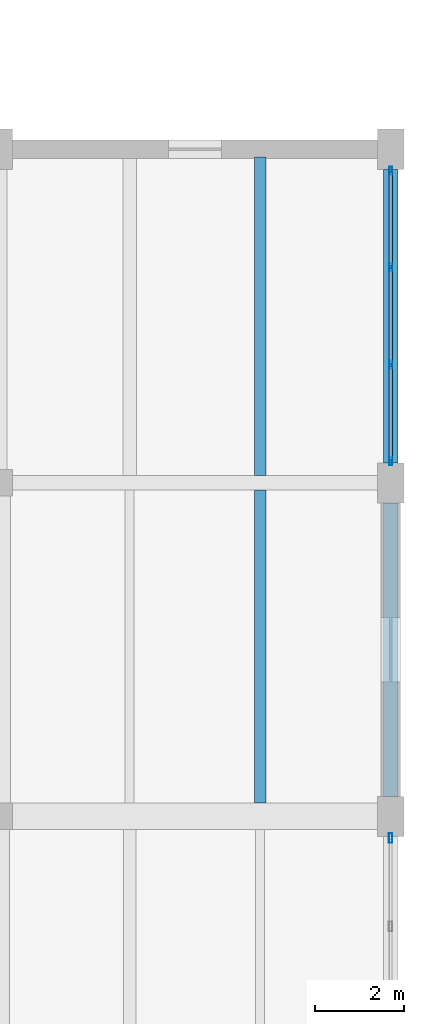
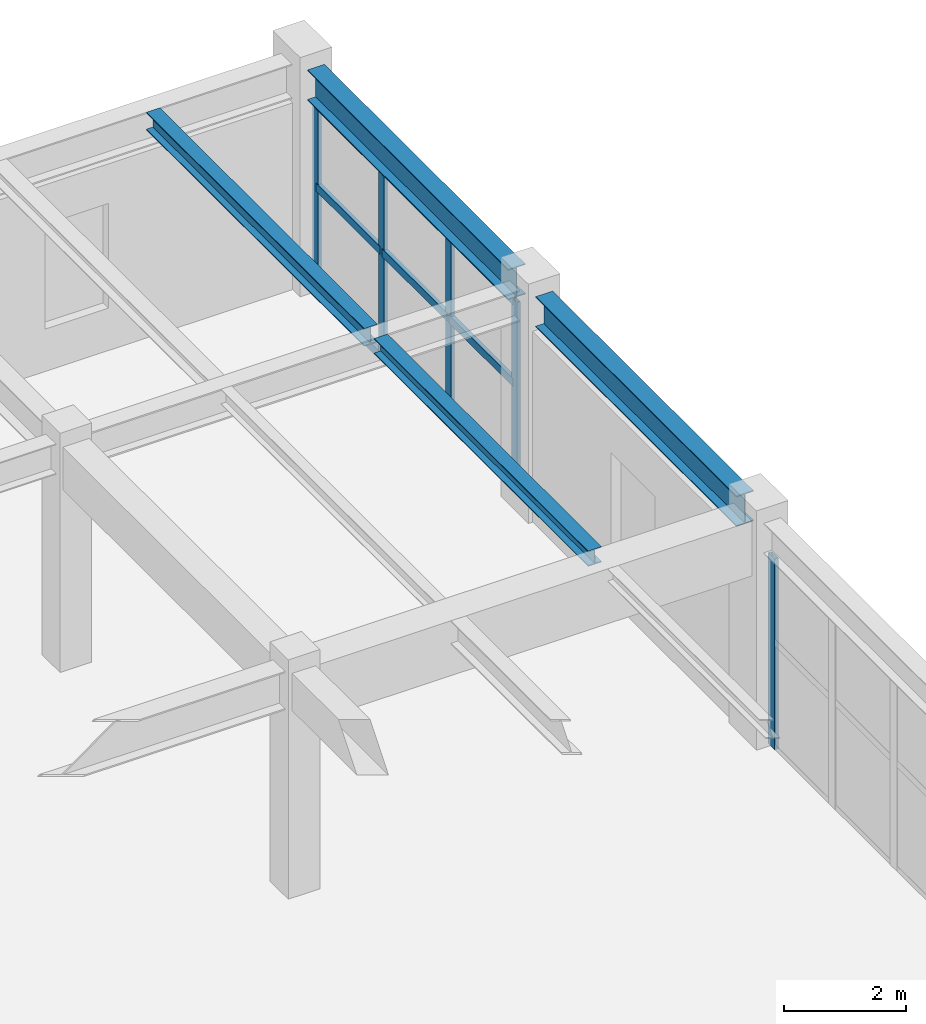
# One storey, part 53 of 85: 14 members, 4 beams, 2 elements without a shape of their own.
"""IFC4 building model written with IfcOpenShell, lengths in metres."""

from ifc_helpers import new_model, si_unit, direction, frame, origin, origin_2d, place, context, subcontext, project, spatial, hollow_rectangle, i_section, extrude, material, layer, layer_set, material_profile, profile_set, type_object, element, aggregate, save


model = new_model("IFC4")

# Units and contexts
model_context = context("Model", 3, precision=1e-05, world=origin(), true_north=direction((0.0, 1.0)))
body_context = subcontext(model_context, "Body", "Model", "MODEL_VIEW")
ifc_project = project(units=[si_unit("LENGTHUNIT", "METRE"), si_unit("AREAUNIT", "SQUARE_METRE"), si_unit("VOLUMEUNIT", "CUBIC_METRE"), si_unit("PLANEANGLEUNIT", "RADIAN"), si_unit("MASSUNIT", "GRAM", prefix="KILO")], contexts=[model_context])

# Site, building, storey
site_placement = place(None, origin())
site = spatial("IfcSite", under=ifc_project, at=site_placement, CompositionType="ELEMENT")
building_placement = place(site_placement, origin())
building = spatial("IfcBuilding", under=site, at=building_placement, Name="Vaelkrest Opera House", CompositionType="ELEMENT")
storey_placement = place(building_placement, frame((0.0, 0.0, 10.199951171875)))
storey = spatial("IfcBuildingStorey", under=building, at=storey_placement, Name="L02", CompositionType="ELEMENT", Elevation=10.199951171875)

# Curtain wall, members
ifc_material_1 = material(Name="Dark bronze anodized aluminium", Category="aluminium")
ifc_layer_1 = layer(ifc_material_1, 0.219970703125)
ifc_layer_set_1 = layer_set([ifc_layer_1], Name="Dark bronze anodized aluminium")
curtain_wall_type_1 = type_object("IfcCurtainWallType", Name="CW05", PredefinedType="NOTDEFINED", material=ifc_layer_set_1)
curtain_wall_1_placement = place(storey_placement, origin())
curtain_wall_1 = element("IfcCurtainWall", 1, at=curtain_wall_1_placement, inside=storey, type_object=curtain_wall_type_1, Name="Curtain wall CW-L02-164", PredefinedType="NOTDEFINED")
ifc_material_profile_1 = material_profile(ifc_material_1, hollow_rectangle(XDim=0.06494140625, YDim=0.179931640625, WallThickness=0.00390625, at=origin_2d()), Name="CWM65X180")
ifc_profile_set_1 = profile_set([ifc_material_profile_1], Name="Dark bronze anodized aluminium")
member_type_1 = type_object("IfcMemberType", Name="CWM01", PredefinedType="MULLION", material=ifc_profile_set_1)
member_1_placement = place(storey_placement, frame((77.60009765625, 24.719482421875, 0.0), z_axis=(0.0, 0.0, 1.0), x_axis=(1.0, 0.0, 0.0)))
member_1 = element("IfcMember", 2, at=member_1_placement, type_object=member_type_1, Name="CW05 mullion 1", PredefinedType="MULLION", context=body_context, shape_type="SweptSolid", body=[
    extrude(hollow_rectangle(XDim=0.06494140625, YDim=0.179931640625, WallThickness=0.00390625, at=origin_2d()), origin(), (0.0, 0.0, 1.0), 3.8291015625),
])
member_2_placement = place(storey_placement, frame((77.60009765625, 22.55078125, 0.0), z_axis=(0.0, 0.0, 1.0), x_axis=(1.0, 0.0, 0.0)))
member_2 = element("IfcMember", 3, at=member_2_placement, type_object=member_type_1, Name="CW05 mullion 2", PredefinedType="MULLION", context=body_context, shape_type="SweptSolid", body=[
    extrude(hollow_rectangle(XDim=0.06494140625, YDim=0.179931640625, WallThickness=0.00390625, at=origin_2d()), origin(), (0.0, 0.0, 1.0), 3.8291015625),
])
member_3_placement = place(storey_placement, frame((77.60009765625, 20.349365234375, 0.0), z_axis=(0.0, 0.0, 1.0), x_axis=(1.0, 0.0, 0.0)))
member_3 = element("IfcMember", 4, at=member_3_placement, type_object=member_type_1, Name="CW05 mullion 3", PredefinedType="MULLION", context=body_context, shape_type="SweptSolid", body=[
    extrude(hollow_rectangle(XDim=0.06494140625, YDim=0.179931640625, WallThickness=0.00390625, at=origin_2d()), origin(), (0.0, 0.0, 1.0), 3.8291015625),
])
member_4_placement = place(storey_placement, frame((77.60009765625, 18.180419921875, 0.0), z_axis=(0.0, 0.0, 1.0), x_axis=(1.0, 0.0, 0.0)))
member_4 = element("IfcMember", 5, at=member_4_placement, type_object=member_type_1, Name="CW05 mullion 4", PredefinedType="MULLION", context=body_context, shape_type="SweptSolid", body=[
    extrude(hollow_rectangle(XDim=0.06494140625, YDim=0.179931640625, WallThickness=0.00390625, at=origin_2d()), origin(), (0.0, 0.0, 1.0), 3.8291015625),
])

# Curtain wall, member
ifc_layer_2 = layer(ifc_material_1, 0.239990234375)
ifc_layer_set_2 = layer_set([ifc_layer_2], Name="Dark bronze anodized aluminium")
curtain_wall_type_2 = type_object("IfcCurtainWallType", Name="CW07", PredefinedType="NOTDEFINED", material=ifc_layer_set_2)
curtain_wall_2_placement = place(storey_placement, origin())
curtain_wall_2 = element("IfcCurtainWall", 6, at=curtain_wall_2_placement, inside=storey, type_object=curtain_wall_type_2, Name="Curtain wall CW-L02-165", PredefinedType="NOTDEFINED")
ifc_material_profile_2 = material_profile(ifc_material_1, hollow_rectangle(XDim=0.074951171875, YDim=0.219970703125, WallThickness=0.00439453125, at=origin_2d()), Name="CWM75X220")
ifc_profile_set_2 = profile_set([ifc_material_profile_2], Name="Dark bronze anodized aluminium")
member_type_2 = type_object("IfcMemberType", Name="CWM03", PredefinedType="MULLION", material=ifc_profile_set_2)
member_5_placement = place(storey_placement, frame((77.60009765625, 9.714599609375, 0.0), z_axis=(0.0, 0.0, 1.0), x_axis=(1.0, 0.0, 0.0)))
member_5 = element("IfcMember", 7, at=member_5_placement, type_object=member_type_2, Name="CW07 mullion 1", PredefinedType="MULLION", context=body_context, shape_type="SweptSolid", body=[
    extrude(hollow_rectangle(XDim=0.074951171875, YDim=0.219970703125, WallThickness=0.00439453125, at=origin_2d()), origin(), (0.0, 0.0, 1.0), 3.8291015625),
])
aggregate(curtain_wall_2, [member_5])

# Member
ifc_material_profile_3 = material_profile(ifc_material_1, hollow_rectangle(XDim=0.074951171875, YDim=0.159912109375, WallThickness=0.00439453125, at=origin_2d()), Name="CWT75X160")
ifc_profile_set_3 = profile_set([ifc_material_profile_3], Name="Dark bronze anodized aluminium")
member_type_3 = type_object("IfcMemberType", Name="CWT03", PredefinedType="USERDEFINED", material=ifc_profile_set_3)
member_6_placement = place(storey_placement, frame((77.60009765625, 24.68701171875, 0.03759765625), z_axis=(0.0, -1.0, 0.0), x_axis=(1.0, 0.0, 0.0)))
member_6 = element("IfcMember", 8, at=member_6_placement, type_object=member_type_3, Name="CW05 transom 1.1", ObjectType="TRANSOM", PredefinedType="USERDEFINED", context=body_context, shape_type="SweptSolid", body=[
    extrude(hollow_rectangle(XDim=0.074951171875, YDim=0.159912109375, WallThickness=0.00439453125, at=origin_2d()), origin(), (0.0, 0.0, 1.0), 2.103759765625),
])

member_7_placement = place(storey_placement, frame((77.60009765625, 24.68701171875, 2.150146484375), z_axis=(0.0, -1.0, 0.0), x_axis=(1.0, 0.0, 0.0)))
member_7 = element("IfcMember", 9, at=member_7_placement, type_object=member_type_3, Name="CW05 transom 1.2", ObjectType="TRANSOM", PredefinedType="USERDEFINED", context=body_context, shape_type="SweptSolid", body=[
    extrude(hollow_rectangle(XDim=0.074951171875, YDim=0.159912109375, WallThickness=0.00439453125, at=origin_2d()), origin(), (0.0, 0.0, 1.0), 2.103759765625),
])

member_8_placement = place(storey_placement, frame((77.60009765625, 24.68701171875, 3.79150390625), z_axis=(0.0, -1.0, 0.0), x_axis=(1.0, 0.0, 0.0)))
member_8 = element("IfcMember", 10, at=member_8_placement, type_object=member_type_3, Name="CW05 transom 1.3", ObjectType="TRANSOM", PredefinedType="USERDEFINED", context=body_context, shape_type="SweptSolid", body=[
    extrude(hollow_rectangle(XDim=0.074951171875, YDim=0.159912109375, WallThickness=0.00439453125, at=origin_2d()), origin(), (0.0, 0.0, 1.0), 2.103759765625),
])

member_9_placement = place(storey_placement, frame((77.60009765625, 22.51806640625, 0.03759765625), z_axis=(0.0, -1.0, 0.0), x_axis=(1.0, 0.0, 0.0)))
member_9 = element("IfcMember", 11, at=member_9_placement, type_object=member_type_3, Name="CW05 transom 2.1", ObjectType="TRANSOM", PredefinedType="USERDEFINED", context=body_context, shape_type="SweptSolid", body=[
    extrude(hollow_rectangle(XDim=0.074951171875, YDim=0.159912109375, WallThickness=0.00439453125, at=origin_2d()), origin(), (0.0, 0.0, 1.0), 2.13623046875),
])

member_10_placement = place(storey_placement, frame((77.60009765625, 22.51806640625, 2.150146484375), z_axis=(0.0, -1.0, 0.0), x_axis=(1.0, 0.0, 0.0)))
member_10 = element("IfcMember", 12, at=member_10_placement, type_object=member_type_3, Name="CW05 transom 2.2", ObjectType="TRANSOM", PredefinedType="USERDEFINED", context=body_context, shape_type="SweptSolid", body=[
    extrude(hollow_rectangle(XDim=0.074951171875, YDim=0.159912109375, WallThickness=0.00439453125, at=origin_2d()), origin(), (0.0, 0.0, 1.0), 2.13623046875),
])

member_11_placement = place(storey_placement, frame((77.60009765625, 22.51806640625, 3.79150390625), z_axis=(0.0, -1.0, 0.0), x_axis=(1.0, 0.0, 0.0)))
member_11 = element("IfcMember", 13, at=member_11_placement, type_object=member_type_3, Name="CW05 transom 2.3", ObjectType="TRANSOM", PredefinedType="USERDEFINED", context=body_context, shape_type="SweptSolid", body=[
    extrude(hollow_rectangle(XDim=0.074951171875, YDim=0.159912109375, WallThickness=0.00439453125, at=origin_2d()), origin(), (0.0, 0.0, 1.0), 2.13623046875),
])

member_12_placement = place(storey_placement, frame((77.60009765625, 20.31689453125, 0.03759765625), z_axis=(0.0, -1.0, 0.0), x_axis=(1.0, 0.0, 0.0)))
member_12 = element("IfcMember", 14, at=member_12_placement, type_object=member_type_3, Name="CW05 transom 3.1", ObjectType="TRANSOM", PredefinedType="USERDEFINED", context=body_context, shape_type="SweptSolid", body=[
    extrude(hollow_rectangle(XDim=0.074951171875, YDim=0.159912109375, WallThickness=0.00439453125, at=origin_2d()), origin(), (0.0, 0.0, 1.0), 2.10400390625),
])

member_13_placement = place(storey_placement, frame((77.60009765625, 20.31689453125, 2.150146484375), z_axis=(0.0, -1.0, 0.0), x_axis=(1.0, 0.0, 0.0)))
member_13 = element("IfcMember", 15, at=member_13_placement, type_object=member_type_3, Name="CW05 transom 3.2", ObjectType="TRANSOM", PredefinedType="USERDEFINED", context=body_context, shape_type="SweptSolid", body=[
    extrude(hollow_rectangle(XDim=0.074951171875, YDim=0.159912109375, WallThickness=0.00439453125, at=origin_2d()), origin(), (0.0, 0.0, 1.0), 2.10400390625),
])

member_14_placement = place(storey_placement, frame((77.60009765625, 20.31689453125, 3.79150390625), z_axis=(0.0, -1.0, 0.0), x_axis=(1.0, 0.0, 0.0)))
member_14 = element("IfcMember", 16, at=member_14_placement, type_object=member_type_3, Name="CW05 transom 3.3", ObjectType="TRANSOM", PredefinedType="USERDEFINED", context=body_context, shape_type="SweptSolid", body=[
    extrude(hollow_rectangle(XDim=0.074951171875, YDim=0.159912109375, WallThickness=0.00439453125, at=origin_2d()), origin(), (0.0, 0.0, 1.0), 2.10400390625),
])

aggregate(curtain_wall_1, [member_1, member_2, member_3, member_4, member_6, member_7, member_8, member_9, member_10, member_11, member_12, member_13, member_14])

# Beams
ifc_material_2 = material(Name="Steel A992 Gr50", Category="steel")
ifc_material_profile_4 = material_profile(ifc_material_2, i_section(OverallWidth=0.25390625, OverallDepth=0.305908203125, WebThickness=0.0087890625, FlangeThickness=0.0146484375, at=origin_2d()), Name="W12X53")
ifc_profile_set_4 = profile_set([ifc_material_profile_4], Name="Steel A992 Gr50")
beam_type_1 = type_object("IfcBeamType", Name="J03", PredefinedType="JOIST", material=ifc_profile_set_4)
beam_1_placement = place(storey_placement, frame((74.6669921875, 10.5, 4.35205078125), z_axis=(0.0, 1.0, 0.0), x_axis=(-1.0, 0.0, 0.0)))
element("IfcBeam", 17, at=beam_1_placement, inside=storey, type_object=beam_type_1, Name="Floor joist JST-V4-L02-2333", PredefinedType="JOIST", context=body_context, shape_type="SweptSolid", body=[
    extrude(i_section(OverallWidth=0.25390625, OverallDepth=0.305908203125, WebThickness=0.0087890625, FlangeThickness=0.0146484375, at=origin_2d()), origin(), (0.0, 0.0, 1.0), 7.035888671875),
])
ifc_material_profile_5 = material_profile(ifc_material_2, i_section(OverallWidth=0.2548828125, OverallDepth=0.35693359375, WebThickness=0.010498046875, FlangeThickness=0.018310546875, at=origin_2d()), Name="W14X68")
ifc_profile_set_5 = profile_set([ifc_material_profile_5], Name="Steel A992 Gr50")
beam_type_2 = type_object("IfcBeamType", Name="J05", PredefinedType="JOIST", material=ifc_profile_set_5)
beam_2_placement = place(storey_placement, frame((74.6669921875, 17.864013671875, 4.32666015625), z_axis=(0.0, 1.0, 0.0), x_axis=(-1.0, 0.0, 0.0)))
element("IfcBeam", 18, at=beam_2_placement, inside=storey, type_object=beam_type_2, Name="Floor joist JST-V4-L02-2335", PredefinedType="JOIST", context=body_context, shape_type="SweptSolid", body=[
    extrude(i_section(OverallWidth=0.2548828125, OverallDepth=0.35693359375, WebThickness=0.010498046875, FlangeThickness=0.018310546875, at=origin_2d()), origin(), (0.0, 0.0, 1.0), 7.158447265625),
])
ifc_material_profile_6 = material_profile(ifc_material_2, i_section(OverallWidth=0.323974609375, OverallDepth=0.611083984375, WebThickness=0.0126953125, FlangeThickness=0.01904296875, at=origin_2d()), Name="W24X104")
ifc_profile_set_6 = profile_set([ifc_material_profile_6], Name="Steel A992 Gr50")
beam_type_3 = type_object("IfcBeamType", Name="SP01", PredefinedType="SPANDREL", material=ifc_profile_set_6)
for number, where, z_axis, x_axis, name in (
    (19, (77.60009765625, 10.64990234375, 4.199462890625), (0.0, 1.0, 0.0), (-1.0, 0.0, 0.0), "Beam BM-V4-L02-2310"),
    (20, (77.60009765625, 18.14990234375, 4.199462890625), (0.0, 1.0, 0.0), (-1.0, 0.0, 0.0), "Beam BM-V4-L02-2311"),
):
    element("IfcBeam", number, at=place(storey_placement, frame(where, z_axis=z_axis, x_axis=x_axis)), inside=storey, type_object=beam_type_3, Name=name, PredefinedType="SPANDREL", context=body_context, shape_type="SweptSolid", body=[
        extrude(i_section(OverallWidth=0.323974609375, OverallDepth=0.611083984375, WebThickness=0.0126953125, FlangeThickness=0.01904296875, at=origin_2d()), origin(), (0.0, 0.0, 1.0), 6.60009765625),
    ])

save(model, "model.ifc")
